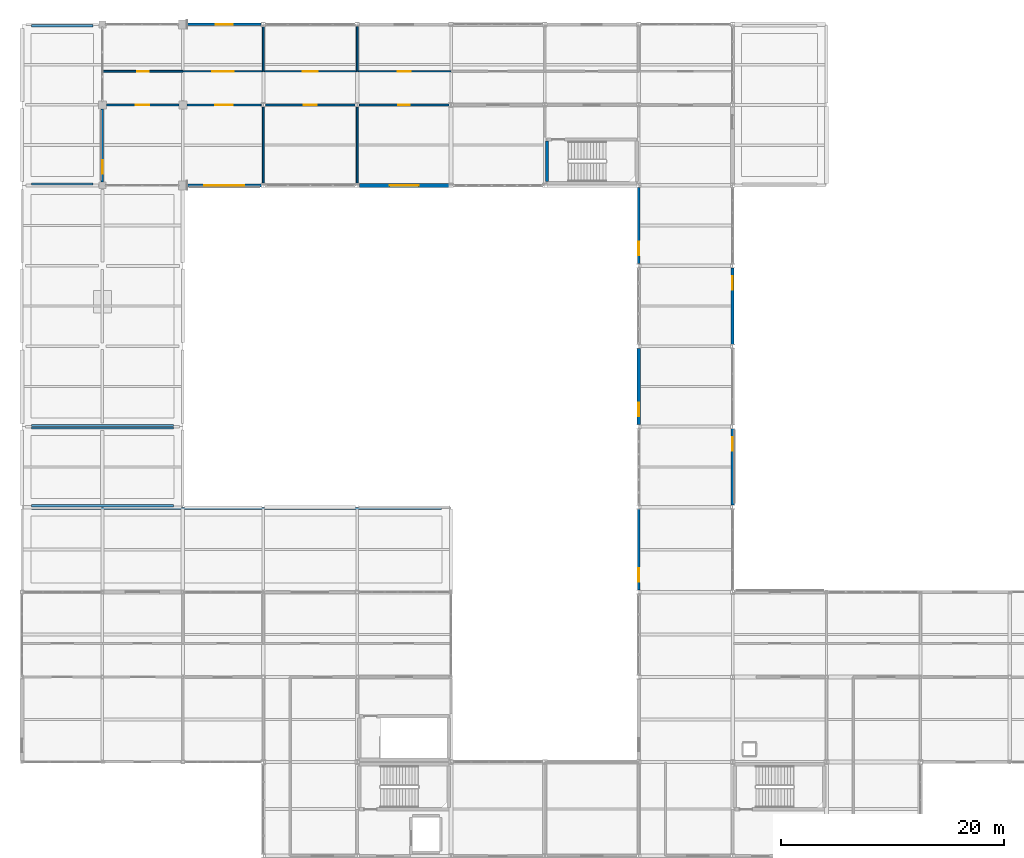
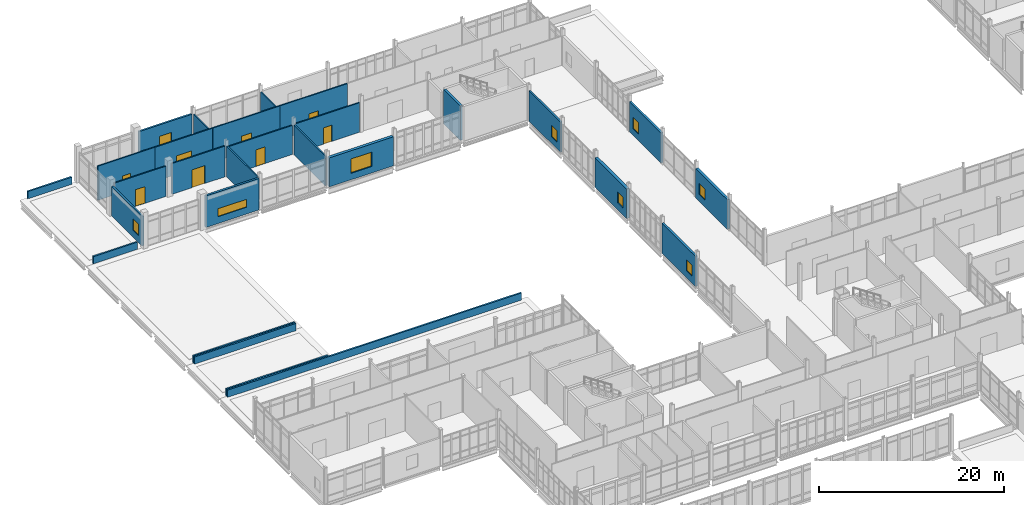
# One storey, part 164 of 186: 28 walls, 9 windows, 8 doors, 17 openings.
"""IFC4 building model written with IfcOpenShell, lengths in metres."""

from ifc_helpers import new_model, si_unit, direction, frame, frame_2d, origin, place, context, subcontext, project, spatial, rectangle, extrude, material, layer, layer_set, type_object, element, fill, save


model = new_model("IFC4")

# Units and contexts
model_context = context("Model", 3, precision=1e-05, world=origin(), true_north=direction((0.0, 1.0)))
body_context = subcontext(model_context, "Body", "Model", "MODEL_VIEW")
ifc_project = project(units=[si_unit("LENGTHUNIT", "METRE"), si_unit("AREAUNIT", "SQUARE_METRE"), si_unit("VOLUMEUNIT", "CUBIC_METRE"), si_unit("PLANEANGLEUNIT", "RADIAN"), si_unit("MASSUNIT", "GRAM", prefix="KILO")], contexts=[model_context])

# Site, building, storey
site_placement = place(None, origin())
site = spatial("IfcSite", under=ifc_project, at=site_placement, CompositionType="ELEMENT")
building_placement = place(site_placement, origin())
building = spatial("IfcBuilding", under=site, at=building_placement, Name="Calvrana Isthmian Art Gallery", CompositionType="ELEMENT")
storey_placement = place(building_placement, frame((0.0, 0.0, 5.39990234375)))
storey = spatial("IfcBuildingStorey", under=building, at=storey_placement, Name="L01", CompositionType="ELEMENT", Elevation=5.39990234375)

# Wall
ifc_material_1 = material(Name="Concrete C40/50", Category="concrete")
ifc_layer_1 = layer(ifc_material_1, 0.300048828125, Name="Concrete C40/50")
ifc_layer_set_1 = layer_set([ifc_layer_1], Name="Concrete C40/50")
wall_type_1 = type_object("IfcWallType", Name="CW-SHAFT-300", PredefinedType="SHEAR", material=ifc_layer_set_1)
wall_1_placement = place(storey_placement, frame((46.989990234375, 98.75, 0.0), z_axis=(0.0, 0.0, 1.0), x_axis=(0.0, 1.0, 0.0)))
element("IfcWall", 1, at=wall_1_placement, inside=storey, type_object=wall_type_1, Name="Core C6 shear wall W L01", PredefinedType="SHEAR", context=body_context, shape_type="SweptSolid", body=[
    extrude(rectangle(XDim=3.60009765625, YDim=0.300048828125, at=frame_2d((1.800048828125, 0.0))), origin(), (0.0, 0.0, 1.0), 4.5400390625),
])

# Wall, opening, window
ifc_material_2 = material(Name="Precast concrete C40/50", Category="concrete")
ifc_layer_2 = layer(ifc_material_2, 0.219970703125, Name="Precast concrete C40/50")
ifc_layer_set_2 = layer_set([ifc_layer_2], Name="Precast concrete C40/50")
wall_type_2 = type_object("IfcWallType", Name="EW-ACOUST-220", PredefinedType="SOLIDWALL", material=ifc_layer_set_2)
wall_2_placement = place(storey_placement, frame((14.800048828125, 112.800048828125, 0.0), z_axis=(0.0, 0.0, 1.0), x_axis=(1.0, 0.0, 0.0)))
wall_2 = element("IfcWall", 2, at=wall_2_placement, inside=storey, type_object=wall_type_2, Name="Exterior wall EW-086", PredefinedType="SOLIDWALL", context=body_context, shape_type="SweptSolid", body=[
    extrude(rectangle(XDim=6.613525390625, YDim=0.219970703125, at=frame_2d((3.306640625, 0.0))), origin(), (0.0, 0.0, 1.0), 3.9130859375),
])
opening_1_placement = place(wall_2_placement, frame((2.556884765625, 0.0, 0.89990234375)))
opening_1 = element("IfcOpeningElement", 3, at=opening_1_placement, cuts=wall_2, Name="Opening W-050", PredefinedType="OPENING", context=body_context, shape_type="SweptSolid", body=[
    extrude(rectangle(XDim=1.5, YDim=1.5, at=frame_2d((0.75, 0.75))), frame((0.0, 0.1201171875, 0.0), z_axis=(0.0, -1.0, 0.0), x_axis=(1.0, 0.0, 0.0)), (0.0, 0.0, 1.0), 0.240478515625),
])
ifc_material_3 = material(Name="Low-E laminated solar glass", Category="glass")
window_type_1 = type_object("IfcWindowType", Name="WN-G03", PartitioningType="SINGLE_PANEL", PredefinedType="WINDOW", material=ifc_material_3)
window_1_placement = place(opening_1_placement, origin())
window_1 = element("IfcWindow", 4, at=window_1_placement, inside=storey, type_object=window_type_1, Name="Facade window W-050", OverallHeight=1.5, OverallWidth=1.5, PartitioningType="SINGLE_PANEL", PredefinedType="WINDOW", context=body_context, shape_type="SweptSolid", body=[
    extrude(rectangle(XDim=1.5, YDim=1.5, at=frame_2d((0.75, 0.75))), frame((0.0, 0.030029296875, 0.0), z_axis=(0.0, -1.0, 0.0), x_axis=(1.0, 0.0, 0.0)), (0.0, 0.0, 1.0), 0.06005859375),
])
fill(opening_1, window_1)

wall_3_placement = place(storey_placement, frame((7.199951171875, 98.699951171875, 0.0), z_axis=(0.0, 0.0, 1.0), x_axis=(0.0, 1.0, 0.0)))
wall_3 = element("IfcWall", 5, at=wall_3_placement, inside=storey, type_object=wall_type_2, Name="Exterior wall EW-090", PredefinedType="SOLIDWALL", context=body_context, shape_type="SweptSolid", body=[
    extrude(rectangle(XDim=6.550048828125, YDim=0.219970703125, at=frame_2d((3.27490234375, 0.0))), origin(), (0.0, 0.0, 1.0), 3.9130859375),
])
opening_2_placement = place(wall_3_placement, frame((0.75, 0.0, 0.89990234375)))
opening_2 = element("IfcOpeningElement", 6, at=opening_2_placement, cuts=wall_3, Name="Opening W-054", PredefinedType="OPENING", context=body_context, shape_type="SweptSolid", body=[
    extrude(rectangle(XDim=1.199951171875, YDim=1.5, at=frame_2d((0.60009765625, 0.75))), frame((0.0, 0.1201171875, 0.0), z_axis=(0.0, -1.0, 0.0), x_axis=(1.0, 0.0, 0.0)), (0.0, 0.0, 1.0), 0.240478515625),
])
window_type_2 = type_object("IfcWindowType", Name="WN-G01", PartitioningType="SINGLE_PANEL", PredefinedType="WINDOW", material=ifc_material_3)
window_2_placement = place(opening_2_placement, origin())
window_2 = element("IfcWindow", 7, at=window_2_placement, inside=storey, type_object=window_type_2, Name="Facade window W-054", OverallHeight=1.5, OverallWidth=1.199951171875, PartitioningType="SINGLE_PANEL", PredefinedType="WINDOW", context=body_context, shape_type="SweptSolid", body=[
    extrude(rectangle(XDim=1.199951171875, YDim=1.5, at=frame_2d((0.60009765625, 0.75))), frame((0.0, 0.030029296875, 0.0), z_axis=(0.0, -1.0, 0.0), x_axis=(1.0, 0.0, 0.0)), (0.0, 0.0, 1.0), 0.06005859375),
])
fill(opening_2, window_2)

wall_4_placement = place(storey_placement, frame((55.199951171875, 91.386474609375, 0.0), z_axis=(0.0, 0.0, 1.0), x_axis=(0.0, 1.0, 0.0)))
wall_4 = element("IfcWall", 8, at=wall_4_placement, inside=storey, type_object=wall_type_2, Name="Exterior wall EW-094", PredefinedType="SOLIDWALL", context=body_context, shape_type="SweptSolid", body=[
    extrude(rectangle(XDim=6.83544921875, YDim=0.219970703125, at=frame_2d((3.417724609375, 0.0))), origin(), (0.0, 0.0, 1.0), 3.987060546875),
])
opening_3_placement = place(wall_4_placement, frame((0.75, 0.0, 0.89990234375)))
opening_3 = element("IfcOpeningElement", 9, at=opening_3_placement, cuts=wall_4, Name="Opening W-058", PredefinedType="OPENING", context=body_context, shape_type="SweptSolid", body=[
    extrude(rectangle(XDim=1.199951171875, YDim=1.5, at=frame_2d((0.60009765625, 0.75))), frame((0.0, 0.1201171875, 0.0), z_axis=(0.0, -1.0, 0.0), x_axis=(1.0, 0.0, 0.0)), (0.0, 0.0, 1.0), 0.240478515625),
])
window_3_placement = place(opening_3_placement, origin())
window_3 = element("IfcWindow", 10, at=window_3_placement, inside=storey, type_object=window_type_2, Name="Facade window W-058", OverallHeight=1.5, OverallWidth=1.199951171875, PartitioningType="SINGLE_PANEL", PredefinedType="WINDOW", context=body_context, shape_type="SweptSolid", body=[
    extrude(rectangle(XDim=1.199951171875, YDim=1.5, at=frame_2d((0.60009765625, 0.75))), frame((0.0, 0.030029296875, 0.0), z_axis=(0.0, -1.0, 0.0), x_axis=(1.0, 0.0, 0.0)), (0.0, 0.0, 1.0), 0.06005859375),
])
fill(opening_3, window_3)

ifc_material_4 = material(Name="Pale Isthmian limestone", Category="masonry")
ifc_layer_3 = layer(ifc_material_4, 0.300048828125, Name="Pale Isthmian limestone")
ifc_layer_set_3 = layer_set([ifc_layer_3], Name="Pale Isthmian limestone")
wall_type_3 = type_object("IfcWallType", Name="EW-LIME-300", PredefinedType="SOLIDWALL", material=ifc_layer_set_3)
wall_5_placement = place(storey_placement, frame((63.60009765625, 76.6220703125, 0.0), z_axis=(0.0, 0.0, 1.0), x_axis=(0.0, -1.0, 0.0)))
wall_5 = element("IfcWall", 11, at=wall_5_placement, inside=storey, type_object=wall_type_3, Name="Exterior wall EW-095", PredefinedType="SOLIDWALL", context=body_context, shape_type="SweptSolid", body=[
    extrude(rectangle(XDim=6.83544921875, YDim=0.300048828125, at=frame_2d((3.417724609375, 0.0))), origin(), (0.0, 0.0, 1.0), 3.908203125),
])
opening_4_placement = place(wall_5_placement, frame((0.75, 0.0, 0.89990234375)))
opening_4 = element("IfcOpeningElement", 12, at=opening_4_placement, cuts=wall_5, Name="Opening W-059", PredefinedType="OPENING", context=body_context, shape_type="SweptSolid", body=[
    extrude(rectangle(XDim=1.199951171875, YDim=1.5, at=frame_2d((0.60009765625, 0.75))), frame((0.0, 0.16015625, 0.0), z_axis=(0.0, -1.0, 0.0), x_axis=(1.0, 0.0, 0.0)), (0.0, 0.0, 1.0), 0.320556640625),
])
window_4_placement = place(opening_4_placement, origin())
window_4 = element("IfcWindow", 13, at=window_4_placement, inside=storey, type_object=window_type_2, Name="Facade window W-059", OverallHeight=1.5, OverallWidth=1.199951171875, PartitioningType="SINGLE_PANEL", PredefinedType="WINDOW", context=body_context, shape_type="SweptSolid", body=[
    extrude(rectangle(XDim=1.199951171875, YDim=1.5, at=frame_2d((0.60009765625, 0.75))), frame((0.0, 0.030029296875, 0.0), z_axis=(0.0, -1.0, 0.0), x_axis=(1.0, 0.0, 0.0)), (0.0, 0.0, 1.0), 0.06005859375),
])
fill(opening_4, window_4)

ifc_layer_4 = layer(ifc_material_2, 0.35009765625, Name="Precast concrete C40/50")
ifc_layer_set_4 = layer_set([ifc_layer_4], Name="Precast concrete C40/50")
wall_type_4 = type_object("IfcWallType", Name="EW-PREC-350", PredefinedType="SOLIDWALL", material=ifc_layer_set_4)
wall_6_placement = place(storey_placement, frame((38.21337890625, 98.39990234375, 0.0), z_axis=(0.0, 0.0, 1.0), x_axis=(-1.0, 0.0, 0.0)))
wall_6 = element("IfcWall", 14, at=wall_6_placement, inside=storey, type_object=wall_type_4, Name="Exterior wall EW-081", PredefinedType="SOLIDWALL", context=body_context, shape_type="SweptSolid", body=[
    extrude(rectangle(XDim=8.02685546875, YDim=0.35009765625, at=frame_2d((4.013427734375, 0.0))), origin(), (0.0, 0.0, 1.0), 3.8271484375),
])
opening_5_placement = place(wall_6_placement, frame((2.71337890625, 0.0, 0.85009765625)))
opening_5 = element("IfcOpeningElement", 15, at=opening_5_placement, cuts=wall_6, Name="Opening W-046", PredefinedType="OPENING", context=body_context, shape_type="SweptSolid", body=[
    extrude(rectangle(XDim=2.60009765625, YDim=1.89990234375, at=frame_2d((1.300048828125, 0.949951171875))), frame((0.0, 0.185302734375, 0.0), z_axis=(0.0, -1.0, 0.0), x_axis=(1.0, 0.0, 0.0)), (0.0, 0.0, 1.0), 0.37060546875),
])
window_type_3 = type_object("IfcWindowType", Name="WN-S01", PartitioningType="DOUBLE_PANEL_VERTICAL", PredefinedType="WINDOW", material=ifc_material_3)
window_5_placement = place(opening_5_placement, origin())
window_5 = element("IfcWindow", 16, at=window_5_placement, inside=storey, type_object=window_type_3, Name="Facade window W-046", OverallHeight=1.89990234375, OverallWidth=2.60009765625, PartitioningType="SINGLE_PANEL", PredefinedType="WINDOW", context=body_context, shape_type="SweptSolid", body=[
    extrude(rectangle(XDim=2.60009765625, YDim=1.89990234375, at=frame_2d((1.300048828125, 0.949951171875))), frame((0.0, 0.030029296875, 0.0), z_axis=(0.0, -1.0, 0.0), x_axis=(1.0, 0.0, 0.0)), (0.0, 0.0, 1.0), 0.06005859375),
])
fill(opening_5, window_5)

wall_7_placement = place(storey_placement, frame((55.199951171875, 76.9814453125, 0.0), z_axis=(0.0, 0.0, 1.0), x_axis=(0.0, 1.0, 0.0)))
wall_7 = element("IfcWall", 17, at=wall_7_placement, inside=storey, type_object=wall_type_4, Name="Exterior wall EW-093", PredefinedType="SOLIDWALL", context=body_context, shape_type="SweptSolid", body=[
    extrude(rectangle(XDim=6.83447265625, YDim=0.35009765625, at=frame_2d((3.417236328125, 0.0))), origin(), (0.0, 0.0, 1.0), 3.908203125),
])
opening_6_placement = place(wall_7_placement, frame((0.75, 0.0, 0.89990234375)))
opening_6 = element("IfcOpeningElement", 18, at=opening_6_placement, cuts=wall_7, Name="Opening W-057", PredefinedType="OPENING", context=body_context, shape_type="SweptSolid", body=[
    extrude(rectangle(XDim=1.199951171875, YDim=1.5, at=frame_2d((0.60009765625, 0.75))), frame((0.0, 0.185302734375, 0.0), z_axis=(0.0, -1.0, 0.0), x_axis=(1.0, 0.0, 0.0)), (0.0, 0.0, 1.0), 0.37060546875),
])
window_6_placement = place(opening_6_placement, origin())
window_6 = element("IfcWindow", 19, at=window_6_placement, inside=storey, type_object=window_type_2, Name="Facade window W-057", OverallHeight=1.5, OverallWidth=1.199951171875, PartitioningType="SINGLE_PANEL", PredefinedType="WINDOW", context=body_context, shape_type="SweptSolid", body=[
    extrude(rectangle(XDim=1.199951171875, YDim=1.5, at=frame_2d((0.60009765625, 0.75))), frame((0.0, 0.030029296875, 0.0), z_axis=(0.0, -1.0, 0.0), x_axis=(1.0, 0.0, 0.0)), (0.0, 0.0, 1.0), 0.06005859375),
])
fill(opening_6, window_6)

ifc_material_5 = material(Name="Polychrome glazed terracotta", Category="masonry")
ifc_layer_5 = layer(ifc_material_5, 0.25, Name="Polychrome glazed terracotta")
ifc_layer_set_5 = layer_set([ifc_layer_5], Name="Polychrome glazed terracotta")
wall_type_5 = type_object("IfcWallType", Name="EW-TERRA-250", PredefinedType="SOLIDWALL", material=ifc_layer_set_5)
wall_8_placement = place(storey_placement, frame((21.416015625, 98.39990234375, 0.0), z_axis=(0.0, 0.0, 1.0), x_axis=(-1.0, 0.0, 0.0)))
wall_8 = element("IfcWall", 20, at=wall_8_placement, inside=storey, type_object=wall_type_5, Name="Exterior wall EW-080", PredefinedType="SOLIDWALL", context=body_context, shape_type="SweptSolid", body=[
    extrude(rectangle(XDim=6.615966796875, YDim=0.25, at=frame_2d((3.30810546875, 0.0))), origin(), (0.0, 0.0, 1.0), 4.1640625),
])
opening_7_placement = place(wall_8_placement, frame((1.508056640625, 0.0, 0.89990234375)))
opening_7 = element("IfcOpeningElement", 21, at=opening_7_placement, cuts=wall_8, Name="Opening W-045", PredefinedType="OPENING", context=body_context, shape_type="SweptSolid", body=[
    extrude(rectangle(XDim=3.60009765625, YDim=1.050048828125, at=frame_2d((1.800048828125, 0.52490234375))), frame((0.0, 0.13525390625, 0.0), z_axis=(0.0, -1.0, 0.0), x_axis=(1.0, 0.0, 0.0)), (0.0, 0.0, 1.0), 0.2705078125),
])
window_type_4 = type_object("IfcWindowType", Name="WN-C06", PartitioningType="DOUBLE_PANEL_VERTICAL", PredefinedType="WINDOW", material=ifc_material_3)
window_7_placement = place(opening_7_placement, origin())
window_7 = element("IfcWindow", 22, at=window_7_placement, inside=storey, type_object=window_type_4, Name="Facade window W-045", OverallHeight=1.050048828125, OverallWidth=3.60009765625, PartitioningType="SINGLE_PANEL", PredefinedType="WINDOW", context=body_context, shape_type="SweptSolid", body=[
    extrude(rectangle(XDim=3.60009765625, YDim=1.050048828125, at=frame_2d((1.800048828125, 0.52490234375))), frame((0.0, 0.030029296875, 0.0), z_axis=(0.0, -1.0, 0.0), x_axis=(1.0, 0.0, 0.0)), (0.0, 0.0, 1.0), 0.06005859375),
])
fill(opening_7, window_7)

wall_9_placement = place(storey_placement, frame((55.199951171875, 62.1865234375, 0.0), z_axis=(0.0, 0.0, 1.0), x_axis=(0.0, 1.0, 0.0)))
wall_9 = element("IfcWall", 23, at=wall_9_placement, inside=storey, type_object=wall_type_5, Name="Exterior wall EW-092", PredefinedType="SOLIDWALL", context=body_context, shape_type="SweptSolid", body=[
    extrude(rectangle(XDim=7.235595703125, YDim=0.25, at=frame_2d((3.61767578125, 0.0))), origin(), (0.0, 0.0, 1.0), 3.987060546875),
])
opening_8_placement = place(wall_9_placement, frame((0.75, 0.0, 0.89990234375)))
opening_8 = element("IfcOpeningElement", 24, at=opening_8_placement, cuts=wall_9, Name="Opening W-056", PredefinedType="OPENING", context=body_context, shape_type="SweptSolid", body=[
    extrude(rectangle(XDim=1.199951171875, YDim=1.5, at=frame_2d((0.60009765625, 0.75))), frame((0.0, 0.13525390625, 0.0), z_axis=(0.0, -1.0, 0.0), x_axis=(1.0, 0.0, 0.0)), (0.0, 0.0, 1.0), 0.2705078125),
])
window_8_placement = place(opening_8_placement, origin())
window_8 = element("IfcWindow", 25, at=window_8_placement, inside=storey, type_object=window_type_2, Name="Facade window W-056", OverallHeight=1.5, OverallWidth=1.199951171875, PartitioningType="SINGLE_PANEL", PredefinedType="WINDOW", context=body_context, shape_type="SweptSolid", body=[
    extrude(rectangle(XDim=1.199951171875, YDim=1.5, at=frame_2d((0.60009765625, 0.75))), frame((0.0, 0.030029296875, 0.0), z_axis=(0.0, -1.0, 0.0), x_axis=(1.0, 0.0, 0.0)), (0.0, 0.0, 1.0), 0.06005859375),
])
fill(opening_8, window_8)

wall_10_placement = place(storey_placement, frame((63.60009765625, 91.01611328125, 0.0), z_axis=(0.0, 0.0, 1.0), x_axis=(0.0, -1.0, 0.0)))
wall_10 = element("IfcWall", 26, at=wall_10_placement, inside=storey, type_object=wall_type_5, Name="Exterior wall EW-096", PredefinedType="SOLIDWALL", context=body_context, shape_type="SweptSolid", body=[
    extrude(rectangle(XDim=6.834716796875, YDim=0.25, at=frame_2d((3.41748046875, 0.0))), origin(), (0.0, 0.0, 1.0), 3.987060546875),
])
opening_9_placement = place(wall_10_placement, frame((0.75, 0.0, 0.89990234375)))
opening_9 = element("IfcOpeningElement", 27, at=opening_9_placement, cuts=wall_10, Name="Opening W-060", PredefinedType="OPENING", context=body_context, shape_type="SweptSolid", body=[
    extrude(rectangle(XDim=1.199951171875, YDim=1.5, at=frame_2d((0.60009765625, 0.75))), frame((0.0, 0.13525390625, 0.0), z_axis=(0.0, -1.0, 0.0), x_axis=(1.0, 0.0, 0.0)), (0.0, 0.0, 1.0), 0.2705078125),
])
window_9_placement = place(opening_9_placement, origin())
window_9 = element("IfcWindow", 28, at=window_9_placement, inside=storey, type_object=window_type_2, Name="Facade window W-060", OverallHeight=1.5, OverallWidth=1.199951171875, PartitioningType="SINGLE_PANEL", PredefinedType="WINDOW", context=body_context, shape_type="SweptSolid", body=[
    extrude(rectangle(XDim=1.199951171875, YDim=1.5, at=frame_2d((0.60009765625, 0.75))), frame((0.0, 0.030029296875, 0.0), z_axis=(0.0, -1.0, 0.0), x_axis=(1.0, 0.0, 0.0)), (0.0, 0.0, 1.0), 0.06005859375),
])
fill(opening_9, window_9)

# Wall, opening, door
ifc_material_6 = material(Name="Acoustic gypsum ceiling", Category="gypsum")
ifc_layer_6 = layer(ifc_material_6, 0.159912109375, Name="Acoustic gypsum ceiling")
ifc_layer_set_6 = layer_set([ifc_layer_6], Name="Acoustic gypsum ceiling")
wall_type_6 = type_object("IfcWallType", Name="PW-GAL-160", PredefinedType="PARTITIONING", material=ifc_layer_set_6)
wall_11_placement = place(storey_placement, frame((7.56494140625, 105.60009765625, 0.0), z_axis=(0.0, 0.0, 1.0), x_axis=(1.0, 0.0, 0.0)))
wall_11 = element("IfcWall", 29, at=wall_11_placement, inside=storey, type_object=wall_type_6, Name="Interior partition PW-425", PredefinedType="PARTITIONING", context=body_context, shape_type="SweptSolid", body=[
    extrude(rectangle(XDim=6.469970703125, YDim=0.159912109375, at=frame_2d((3.23486328125, 0.0))), origin(), (0.0, 0.0, 1.0), 3.987060546875),
])
opening_10_placement = place(wall_11_placement, frame((2.635009765625, 0.0, 0.0)))
opening_10 = element("IfcOpeningElement", 30, at=opening_10_placement, cuts=wall_11, Name="Opening D-414", PredefinedType="OPENING", context=body_context, shape_type="SweptSolid", body=[
    extrude(rectangle(XDim=1.199951171875, YDim=2.199951171875, at=frame_2d((0.60009765625, 1.10009765625))), frame((0.0, 0.09033203125, 0.0), z_axis=(0.0, -1.0, 0.0), x_axis=(1.0, 0.0, 0.0)), (0.0, 0.0, 1.0), 0.180419921875),
])
ifc_material_7 = material(Name="Timber gallery flooring", Category="wood")
door_type_1 = type_object("IfcDoorType", Name="DR-RM-1200", OperationType="NOTDEFINED", PredefinedType="DOOR", material=ifc_material_7)
door_1_placement = place(opening_10_placement, origin())
door_1 = element("IfcDoor", 31, at=door_1_placement, inside=storey, type_object=door_type_1, Name="Interior door D-414", OperationType="SINGLE_SWING_RIGHT", OverallHeight=2.199951171875, OverallWidth=1.199951171875, PredefinedType="DOOR", context=body_context, shape_type="SweptSolid", body=[
    extrude(rectangle(XDim=1.199951171875, YDim=2.199951171875, at=frame_2d((0.60009765625, 1.10009765625))), frame((0.0, 0.02490234375, 0.0), z_axis=(0.0, -1.0, 0.0), x_axis=(1.0, 0.0, 0.0)), (0.0, 0.0, 1.0), 0.050048828125),
])
fill(opening_10, door_1)

wall_12_placement = place(storey_placement, frame((14.764892578125, 105.60009765625, 0.0), z_axis=(0.0, 0.0, 1.0), x_axis=(1.0, 0.0, 0.0)))
wall_12 = element("IfcWall", 32, at=wall_12_placement, inside=storey, type_object=wall_type_6, Name="Interior partition PW-426", PredefinedType="PARTITIONING", context=body_context, shape_type="SweptSolid", body=[
    extrude(rectangle(XDim=6.634521484375, YDim=0.159912109375, at=frame_2d((3.3173828125, 0.0))), origin(), (0.0, 0.0, 1.0), 4.05810546875),
])
opening_11_placement = place(wall_12_placement, frame((2.51708984375, 0.0, 0.0)))
opening_11 = element("IfcOpeningElement", 33, at=opening_11_placement, cuts=wall_12, Name="Opening D-415", PredefinedType="OPENING", context=body_context, shape_type="SweptSolid", body=[
    extrude(rectangle(XDim=1.60009765625, YDim=2.35009765625, at=frame_2d((0.800048828125, 1.175048828125))), frame((0.0, 0.09033203125, 0.0), z_axis=(0.0, -1.0, 0.0), x_axis=(1.0, 0.0, 0.0)), (0.0, 0.0, 1.0), 0.180419921875),
])
door_type_2 = type_object("IfcDoorType", Name="DR-GAL-1600", OperationType="DOUBLE_DOOR_SINGLE_SWING", PredefinedType="DOOR", material=ifc_material_7)
door_2_placement = place(opening_11_placement, origin())
door_2 = element("IfcDoor", 34, at=door_2_placement, inside=storey, type_object=door_type_2, Name="Interior door D-415", OperationType="DOUBLE_DOOR_SINGLE_SWING", OverallHeight=2.35009765625, OverallWidth=1.60009765625, PredefinedType="DOOR", context=body_context, shape_type="SweptSolid", body=[
    extrude(rectangle(XDim=1.60009765625, YDim=2.35009765625, at=frame_2d((0.800048828125, 1.175048828125))), frame((0.0, 0.02490234375, 0.0), z_axis=(0.0, -1.0, 0.0), x_axis=(1.0, 0.0, 0.0)), (0.0, 0.0, 1.0), 0.050048828125),
])
fill(opening_11, door_2)

# Wall
wall_13_placement = place(storey_placement, frame((21.60009765625, 98.593017578125, 0.0), z_axis=(0.0, 0.0, 1.0), x_axis=(0.0, 1.0, 0.0)))
element("IfcWall", 35, at=wall_13_placement, inside=storey, type_object=wall_type_6, Name="Interior partition PW-427", PredefinedType="PARTITIONING", context=body_context, shape_type="SweptSolid", body=[
    extrude(rectangle(XDim=6.810546875, YDim=0.159912109375, at=frame_2d((3.4052734375, 0.0))), origin(), (0.0, 0.0, 1.0), 4.05810546875),
])

# Wall, opening, door
wall_14_placement = place(storey_placement, frame((21.800537109375, 105.60009765625, 0.0), z_axis=(0.0, 0.0, 1.0), x_axis=(1.0, 0.0, 0.0)))
wall_14 = element("IfcWall", 36, at=wall_14_placement, inside=storey, type_object=wall_type_6, Name="Interior partition PW-428", PredefinedType="PARTITIONING", context=body_context, shape_type="SweptSolid", body=[
    extrude(rectangle(XDim=8.00048828125, YDim=0.159912109375, at=frame_2d((4.000244140625, 0.0))), origin(), (0.0, 0.0, 1.0), 3.8271484375),
])
opening_12_placement = place(wall_14_placement, frame((3.42529296875, 0.0, 0.0)))
opening_12 = element("IfcOpeningElement", 37, at=opening_12_placement, cuts=wall_14, Name="Opening D-416", PredefinedType="OPENING", context=body_context, shape_type="SweptSolid", body=[
    extrude(rectangle(XDim=1.14990234375, YDim=2.199951171875, at=frame_2d((0.574951171875, 1.10009765625))), frame((0.0, 0.09033203125, 0.0), z_axis=(0.0, -1.0, 0.0), x_axis=(1.0, 0.0, 0.0)), (0.0, 0.0, 1.0), 0.180419921875),
])
door_type_3 = type_object("IfcDoorType", Name="DR-RM-1150", OperationType="NOTDEFINED", PredefinedType="DOOR", material=ifc_material_7)
door_3_placement = place(opening_12_placement, origin())
door_3 = element("IfcDoor", 38, at=door_3_placement, inside=storey, type_object=door_type_3, Name="Interior door D-416", OperationType="SINGLE_SWING_LEFT", OverallHeight=2.199951171875, OverallWidth=1.14990234375, PredefinedType="DOOR", context=body_context, shape_type="SweptSolid", body=[
    extrude(rectangle(XDim=1.14990234375, YDim=2.199951171875, at=frame_2d((0.574951171875, 1.10009765625))), frame((0.0, 0.02490234375, 0.0), z_axis=(0.0, -1.0, 0.0), x_axis=(1.0, 0.0, 0.0)), (0.0, 0.0, 1.0), 0.050048828125),
])
fill(opening_12, door_3)

# Wall
wall_15_placement = place(storey_placement, frame((30.0, 98.6015625, 0.0), z_axis=(0.0, 0.0, 1.0), x_axis=(0.0, 1.0, 0.0)))
element("IfcWall", 39, at=wall_15_placement, inside=storey, type_object=wall_type_6, Name="Interior partition PW-429", PredefinedType="PARTITIONING", context=body_context, shape_type="SweptSolid", body=[
    extrude(rectangle(XDim=6.805419921875, YDim=0.159912109375, at=frame_2d((3.40283203125, 0.0))), origin(), (0.0, 0.0, 1.0), 3.908203125),
])

# Wall, opening, door
wall_16_placement = place(storey_placement, frame((30.198974609375, 105.60009765625, 0.0), z_axis=(0.0, 0.0, 1.0), x_axis=(1.0, 0.0, 0.0)))
wall_16 = element("IfcWall", 40, at=wall_16_placement, inside=storey, type_object=wall_type_6, Name="Interior partition PW-430", PredefinedType="PARTITIONING", context=body_context, shape_type="SweptSolid", body=[
    extrude(rectangle(XDim=7.99951171875, YDim=0.159912109375, at=frame_2d((3.999755859375, 0.0))), origin(), (0.0, 0.0, 1.0), 3.898193359375),
])
opening_13_placement = place(wall_16_placement, frame((3.474853515625, 0.0, 0.0)))
opening_13 = element("IfcOpeningElement", 41, at=opening_13_placement, cuts=wall_16, Name="Opening D-417", PredefinedType="OPENING", context=body_context, shape_type="SweptSolid", body=[
    extrude(rectangle(XDim=1.050048828125, YDim=2.14990234375, at=frame_2d((0.52490234375, 1.074951171875))), frame((0.0, 0.09033203125, 0.0), z_axis=(0.0, -1.0, 0.0), x_axis=(1.0, 0.0, 0.0)), (0.0, 0.0, 1.0), 0.180419921875),
])
door_type_4 = type_object("IfcDoorType", Name="DR-RM-1050", OperationType="NOTDEFINED", PredefinedType="DOOR", material=ifc_material_7)
door_4_placement = place(opening_13_placement, origin())
door_4 = element("IfcDoor", 42, at=door_4_placement, inside=storey, type_object=door_type_4, Name="Interior door D-417", OperationType="SINGLE_SWING_RIGHT", OverallHeight=2.14990234375, OverallWidth=1.050048828125, PredefinedType="DOOR", context=body_context, shape_type="SweptSolid", body=[
    extrude(rectangle(XDim=1.050048828125, YDim=2.14990234375, at=frame_2d((0.52490234375, 1.074951171875))), frame((0.0, 0.02490234375, 0.0), z_axis=(0.0, -1.0, 0.0), x_axis=(1.0, 0.0, 0.0)), (0.0, 0.0, 1.0), 0.050048828125),
])
fill(opening_13, door_4)

wall_17_placement = place(storey_placement, frame((7.260009765625, 108.610107421875, 0.0), z_axis=(0.0, 0.0, 1.0), x_axis=(1.0, 0.0, 0.0)))
wall_17 = element("IfcWall", 43, at=wall_17_placement, inside=storey, type_object=wall_type_6, Name="Interior partition PW-433", PredefinedType="PARTITIONING", context=body_context, shape_type="SweptSolid", body=[
    extrude(rectangle(XDim=7.1298828125, YDim=0.159912109375, at=frame_2d((3.56494140625, 0.0))), origin(), (0.0, 0.0, 1.0), 4.52001953125),
])
opening_14_placement = place(wall_17_placement, frame((3.0400390625, 0.0, 0.0)))
opening_14 = element("IfcOpeningElement", 44, at=opening_14_placement, cuts=wall_17, Name="Opening D-420", PredefinedType="OPENING", context=body_context, shape_type="SweptSolid", body=[
    extrude(rectangle(XDim=1.050048828125, YDim=2.14990234375, at=frame_2d((0.52490234375, 1.074951171875))), frame((0.0, 0.09033203125, 0.0), z_axis=(0.0, -1.0, 0.0), x_axis=(1.0, 0.0, 0.0)), (0.0, 0.0, 1.0), 0.180419921875),
])
door_5_placement = place(opening_14_placement, origin())
door_5 = element("IfcDoor", 45, at=door_5_placement, inside=storey, type_object=door_type_4, Name="Interior door D-420", OperationType="SINGLE_SWING_RIGHT", OverallHeight=2.14990234375, OverallWidth=1.050048828125, PredefinedType="DOOR", context=body_context, shape_type="SweptSolid", body=[
    extrude(rectangle(XDim=1.050048828125, YDim=2.14990234375, at=frame_2d((0.52490234375, 1.074951171875))), frame((0.0, 0.02490234375, 0.0), z_axis=(0.0, -1.0, 0.0), x_axis=(1.0, 0.0, 0.0)), (0.0, 0.0, 1.0), 0.050048828125),
])
fill(opening_14, door_5)

wall_18_placement = place(storey_placement, frame((14.409912109375, 108.610107421875, 0.0), z_axis=(0.0, 0.0, 1.0), x_axis=(1.0, 0.0, 0.0)))
wall_18 = element("IfcWall", 46, at=wall_18_placement, inside=storey, type_object=wall_type_6, Name="Interior partition PW-434", PredefinedType="PARTITIONING", context=body_context, shape_type="SweptSolid", body=[
    extrude(rectangle(XDim=7.18017578125, YDim=0.159912109375, at=frame_2d((3.590087890625, 0.0))), origin(), (0.0, 0.0, 1.0), 4.52001953125),
])
opening_15_placement = place(wall_18_placement, frame((2.639892578125, 0.0, 0.0)))
opening_15 = element("IfcOpeningElement", 47, at=opening_15_placement, cuts=wall_18, Name="Opening D-421", PredefinedType="OPENING", context=body_context, shape_type="SweptSolid", body=[
    extrude(rectangle(XDim=1.89990234375, YDim=2.449951171875, at=frame_2d((0.949951171875, 1.22509765625))), frame((0.0, 0.09033203125, 0.0), z_axis=(0.0, -1.0, 0.0), x_axis=(1.0, 0.0, 0.0)), (0.0, 0.0, 1.0), 0.180419921875),
])
door_type_5 = type_object("IfcDoorType", Name="DR-GAL-1900", OperationType="DOUBLE_DOOR_SINGLE_SWING", PredefinedType="DOOR", material=ifc_material_7)
door_6_placement = place(opening_15_placement, origin())
door_6 = element("IfcDoor", 48, at=door_6_placement, inside=storey, type_object=door_type_5, Name="Interior door D-421", OperationType="DOUBLE_DOOR_SINGLE_SWING", OverallHeight=2.449951171875, OverallWidth=1.89990234375, PredefinedType="DOOR", context=body_context, shape_type="SweptSolid", body=[
    extrude(rectangle(XDim=1.89990234375, YDim=2.449951171875, at=frame_2d((0.949951171875, 1.22509765625))), frame((0.0, 0.02490234375, 0.0), z_axis=(0.0, -1.0, 0.0), x_axis=(1.0, 0.0, 0.0)), (0.0, 0.0, 1.0), 0.050048828125),
])
fill(opening_15, door_6)

# Wall
wall_19_placement = place(storey_placement, frame((21.60009765625, 108.6201171875, 0.0), z_axis=(0.0, 0.0, 1.0), x_axis=(0.0, 1.0, 0.0)))
element("IfcWall", 49, at=wall_19_placement, inside=storey, type_object=wall_type_6, Name="Interior partition PW-435", PredefinedType="PARTITIONING", context=body_context, shape_type="SweptSolid", body=[
    extrude(rectangle(XDim=3.98095703125, YDim=0.159912109375, at=frame_2d((1.990478515625, 0.0))), origin(), (0.0, 0.0, 1.0), 3.908203125),
])

# Wall, opening, door
wall_20_placement = place(storey_placement, frame((21.610107421875, 108.610107421875, 0.0), z_axis=(0.0, 0.0, 1.0), x_axis=(1.0, 0.0, 0.0)))
wall_20 = element("IfcWall", 50, at=wall_20_placement, inside=storey, type_object=wall_type_6, Name="Interior partition PW-436", PredefinedType="PARTITIONING", context=body_context, shape_type="SweptSolid", body=[
    extrude(rectangle(XDim=8.3798828125, YDim=0.159912109375, at=frame_2d((4.18994140625, 0.0))), origin(), (0.0, 0.0, 1.0), 4.52001953125),
])
opening_16_placement = place(wall_20_placement, frame((3.5400390625, 0.0, 0.0)))
opening_16 = element("IfcOpeningElement", 51, at=opening_16_placement, cuts=wall_20, Name="Opening D-422", PredefinedType="OPENING", context=body_context, shape_type="SweptSolid", body=[
    extrude(rectangle(XDim=1.300048828125, YDim=2.199951171875, at=frame_2d((0.64990234375, 1.10009765625))), frame((0.0, 0.09033203125, 0.0), z_axis=(0.0, -1.0, 0.0), x_axis=(1.0, 0.0, 0.0)), (0.0, 0.0, 1.0), 0.180419921875),
])
door_type_6 = type_object("IfcDoorType", Name="DR-RM-1300", OperationType="NOTDEFINED", PredefinedType="DOOR", material=ifc_material_7)
door_7_placement = place(opening_16_placement, origin())
door_7 = element("IfcDoor", 52, at=door_7_placement, inside=storey, type_object=door_type_6, Name="Interior door D-422", OperationType="SINGLE_SWING_LEFT", OverallHeight=2.199951171875, OverallWidth=1.300048828125, PredefinedType="DOOR", context=body_context, shape_type="SweptSolid", body=[
    extrude(rectangle(XDim=1.300048828125, YDim=2.199951171875, at=frame_2d((0.64990234375, 1.10009765625))), frame((0.0, 0.02490234375, 0.0), z_axis=(0.0, -1.0, 0.0), x_axis=(1.0, 0.0, 0.0)), (0.0, 0.0, 1.0), 0.050048828125),
])
fill(opening_16, door_7)

# Wall
wall_21_placement = place(storey_placement, frame((30.0, 108.6201171875, 0.0), z_axis=(0.0, 0.0, 1.0), x_axis=(0.0, 1.0, 0.0)))
element("IfcWall", 53, at=wall_21_placement, inside=storey, type_object=wall_type_6, Name="Interior partition PW-437", PredefinedType="PARTITIONING", context=body_context, shape_type="SweptSolid", body=[
    extrude(rectangle(XDim=3.9833984375, YDim=0.159912109375, at=frame_2d((1.99169921875, 0.0))), origin(), (0.0, 0.0, 1.0), 3.9130859375),
])

# Wall, opening, door
wall_22_placement = place(storey_placement, frame((30.010009765625, 108.610107421875, 0.0), z_axis=(0.0, 0.0, 1.0), x_axis=(1.0, 0.0, 0.0)))
wall_22 = element("IfcWall", 54, at=wall_22_placement, inside=storey, type_object=wall_type_6, Name="Interior partition PW-438", PredefinedType="PARTITIONING", context=body_context, shape_type="SweptSolid", body=[
    extrude(rectangle(XDim=8.3798828125, YDim=0.159912109375, at=frame_2d((4.18994140625, 0.0))), origin(), (0.0, 0.0, 1.0), 4.52001953125),
])
opening_17_placement = place(wall_22_placement, frame((3.614990234375, 0.0, 0.0)))
opening_17 = element("IfcOpeningElement", 55, at=opening_17_placement, cuts=wall_22, Name="Opening D-423", PredefinedType="OPENING", context=body_context, shape_type="SweptSolid", body=[
    extrude(rectangle(XDim=1.14990234375, YDim=2.199951171875, at=frame_2d((0.574951171875, 1.10009765625))), frame((0.0, 0.09033203125, 0.0), z_axis=(0.0, -1.0, 0.0), x_axis=(1.0, 0.0, 0.0)), (0.0, 0.0, 1.0), 0.180419921875),
])
door_8_placement = place(opening_17_placement, origin())
door_8 = element("IfcDoor", 56, at=door_8_placement, inside=storey, type_object=door_type_3, Name="Interior door D-423", OperationType="SINGLE_SWING_RIGHT", OverallHeight=2.199951171875, OverallWidth=1.14990234375, PredefinedType="DOOR", context=body_context, shape_type="SweptSolid", body=[
    extrude(rectangle(XDim=1.14990234375, YDim=2.199951171875, at=frame_2d((0.574951171875, 1.10009765625))), frame((0.0, 0.02490234375, 0.0), z_axis=(0.0, -1.0, 0.0), x_axis=(1.0, 0.0, 0.0)), (0.0, 0.0, 1.0), 0.050048828125),
])
fill(opening_17, door_8)

# Walls
ifc_layer_7 = layer(ifc_material_4, 0.199951171875, Name="Pale Isthmian limestone")
ifc_layer_set_7 = layer_set([ifc_layer_7], Name="Pale Isthmian limestone")
wall_type_7 = type_object("IfcWallType", Name="WL-PARA-200", PredefinedType="PARAPET", material=ifc_layer_set_7)
wall_23_placement = place(storey_placement, frame((0.85009765625, 69.47998046875, 0.0), z_axis=(0.0, 0.0, 1.0), x_axis=(1.0, 0.0, 0.0)))
element("IfcWall", 57, at=wall_23_placement, inside=storey, type_object=wall_type_7, Name="Roof parapet WP-03", PredefinedType="PARAPET", context=body_context, shape_type="SweptSolid", body=[
    extrude(rectangle(XDim=36.699951171875, YDim=0.199951171875, at=frame_2d((18.35009765625, 0.0))), origin(), (0.0, 0.0, 1.0), 0.9501953125),
])
for number, where, z_axis, x_axis, name in (
    (58, (0.85009765625, 69.719970703125, 0.0), (0.0, 0.0, 1.0), (1.0, 0.0, 0.0), "Roof parapet WP-04"),
    (59, (0.85009765625, 76.679931640625, 0.0), (0.0, 0.0, 1.0), (1.0, 0.0, 0.0), "Roof parapet WP-05"),
    (60, (0.85009765625, 76.919921875, 0.0), (0.0, 0.0, 1.0), (1.0, 0.0, 0.0), "Roof parapet WP-13"),
):
    element("IfcWall", number, at=place(storey_placement, frame(where, z_axis=z_axis, x_axis=x_axis)), inside=storey, type_object=wall_type_7, Name=name, PredefinedType="PARAPET", context=body_context, shape_type="SweptSolid", body=[
        extrude(rectangle(XDim=12.699951171875, YDim=0.199951171875, at=frame_2d((6.35009765625, 0.0))), origin(), (0.0, 0.0, 1.0), 0.9501953125),
    ])
for number, where, z_axis, x_axis, name in (
    (61, (0.85009765625, 98.52001953125, 0.0), (0.0, 0.0, 1.0), (1.0, 0.0, 0.0), "Roof parapet WP-14"),
    (62, (0.85009765625, 112.679931640625, 0.0), (0.0, 0.0, 1.0), (1.0, 0.0, 0.0), "Roof parapet WP-15"),
):
    element("IfcWall", number, at=place(storey_placement, frame(where, z_axis=z_axis, x_axis=x_axis)), inside=storey, type_object=wall_type_7, Name=name, PredefinedType="PARAPET", context=body_context, shape_type="SweptSolid", body=[
        extrude(rectangle(XDim=5.5, YDim=0.199951171875, at=frame_2d((2.75, 0.0))), origin(), (0.0, 0.0, 1.0), 0.9501953125),
    ])

save(model, "model.ifc")
